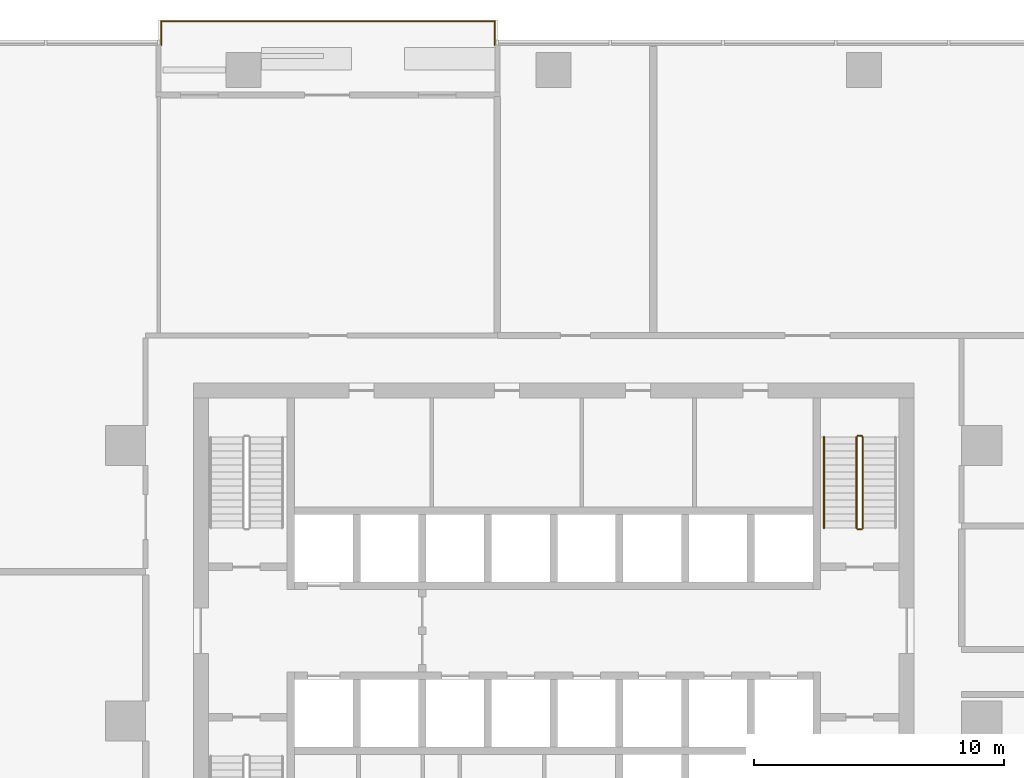
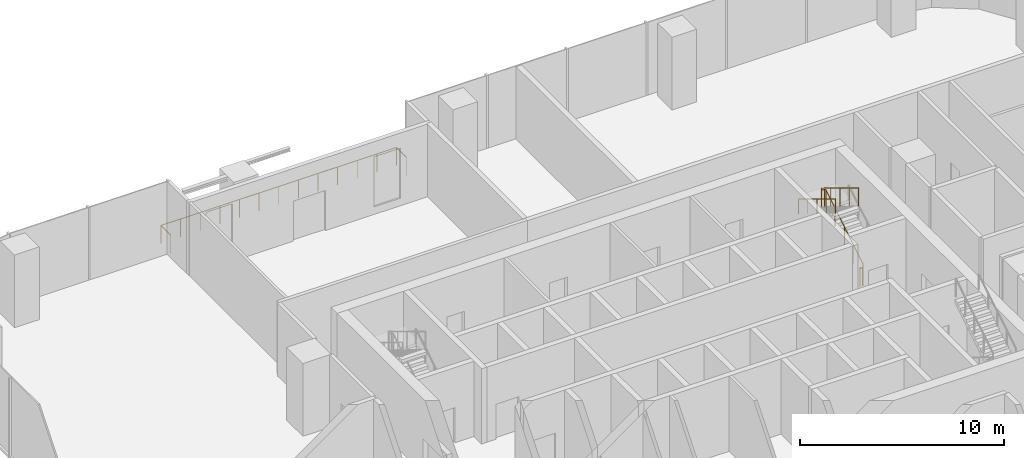
# One storey, part 14 of 15: 5 railings.
"""IFC4 building model written with IfcOpenShell, lengths in metres."""

from ifc_helpers import new_model, si_unit, direction, frame, origin, origin_2d, place, context, subcontext, project, spatial, circle, extrude, material, type_object, element, save


model = new_model("IFC4")

# Units and contexts
model_context = context("Model", 3, precision=1e-05, world=origin(), true_north=direction((0.0, 1.0)))
body_context = subcontext(model_context, "Body", "Model", "MODEL_VIEW")
ifc_project = project(units=[si_unit("LENGTHUNIT", "METRE"), si_unit("AREAUNIT", "SQUARE_METRE"), si_unit("VOLUMEUNIT", "CUBIC_METRE"), si_unit("PLANEANGLEUNIT", "RADIAN"), si_unit("MASSUNIT", "GRAM", prefix="KILO")], contexts=[model_context])

# Site, building, storey
site_placement = place(None, origin())
site = spatial("IfcSite", under=ifc_project, at=site_placement, CompositionType="ELEMENT")
building_placement = place(site_placement, origin())
building = spatial("IfcBuilding", under=site, at=building_placement, Name="Mopane Tessera Tower", CompositionType="ELEMENT")
storey_placement = place(building_placement, frame((0.0, 0.0, 79.0)))
storey = spatial("IfcBuildingStorey", under=building, at=storey_placement, Name="L15", CompositionType="ELEMENT", Elevation=79.0)

# Railings
ifc_material_1 = material(Name="Powder-coated steel balustrade", Category="steel")
railing_type_1 = type_object("IfcRailingType", Name="Escape stair guard 1100 mm", PredefinedType="GUARDRAIL", material=ifc_material_1)
railing_1_placement = place(storey_placement, frame((12.35009765625, 7.699951171875, 0.17138671875)))
element("IfcRailing", 1, at=railing_1_placement, inside=storey, type_object=railing_type_1, Name="L15 ST4 stair guard 1", PredefinedType="GUARDRAIL", context=body_context, shape_type="SweptSolid", body=[
    extrude(circle(Radius=0.02392578125, at=origin_2d()), frame((0.0, 0.0, 1.076171875), z_axis=(0.0, 0.852865859571, 0.52213008492), x_axis=(-1.0, 0.0, 0.0)), (0.0, 0.0, 1.0), 4.26806640625),
    extrude(circle(Radius=0.02392578125, at=origin_2d()), frame((0.0, 3.64013671875, 3.3046875), z_axis=(-0.708833529934, 0.705375805398, 0.0), x_axis=(-0.705375805398, -0.708833529934, 0.0)), (0.0, 0.0, 1.0), 0.070556640625),
    extrude(circle(Radius=0.02392578125, at=origin_2d()), frame((-0.050048828125, 3.68994140625, 3.3046875), z_axis=(-1.0, 0.0, 0.0), x_axis=(0.0, -1.0, 0.0)), (0.0, 0.0, 1.0), 0.150146484375),
    extrude(circle(Radius=0.02099609375, at=origin_2d()), origin(), (0.0, 0.0, 1.0), 1.052001953125),
    extrude(circle(Radius=0.02099609375, at=origin_2d()), frame((0.0, 0.91015625, 0.55712890625)), (0.0, 0.0, 1.0), 1.052001953125),
    extrude(circle(Radius=0.02099609375, at=origin_2d()), frame((0.0, 1.820068359375, 1.1142578125)), (0.0, 0.0, 1.0), 1.052001953125),
    extrude(circle(Radius=0.02099609375, at=origin_2d()), frame((0.0, 2.72998046875, 1.67138671875)), (0.0, 0.0, 1.0), 1.052001953125),
    extrude(circle(Radius=0.02099609375, at=origin_2d()), frame((0.0, 3.64013671875, 2.228515625)), (0.0, 0.0, 1.0), 1.052001953125),
    extrude(circle(Radius=0.02099609375, at=origin_2d()), frame((-0.050048828125, 3.68994140625, 2.228515625)), (0.0, 0.0, 1.0), 1.052001953125),
    extrude(circle(Radius=0.02099609375, at=origin_2d()), frame((-0.2001953125, 3.68994140625, 2.228515625)), (0.0, 0.0, 1.0), 1.052001953125),
])
railing_2_placement = place(storey_placement, frame((12.10009765625, 11.340087890625, 2.571533203125)))
element("IfcRailing", 2, at=railing_2_placement, inside=storey, type_object=railing_type_1, Name="L15 ST4 stair guard 2", PredefinedType="GUARDRAIL", context=body_context, shape_type="SweptSolid", body=[
    extrude(circle(Radius=0.02392578125, at=origin_2d()), frame((0.0, 0.0, 1.076171875), z_axis=(0.0, -0.852865859571, 0.52213008492), x_axis=(1.0, 0.0, 0.0)), (0.0, 0.0, 1.0), 4.26806640625),
    extrude(circle(Radius=0.02099609375, at=origin_2d()), origin(), (0.0, 0.0, 1.0), 1.052001953125),
    extrude(circle(Radius=0.02099609375, at=origin_2d()), frame((0.0, -0.91015625, 0.55712890625)), (0.0, 0.0, 1.0), 1.052001953125),
    extrude(circle(Radius=0.02099609375, at=origin_2d()), frame((0.0, -1.820068359375, 1.1142578125)), (0.0, 0.0, 1.0), 1.052001953125),
    extrude(circle(Radius=0.02099609375, at=origin_2d()), frame((0.0, -2.72998046875, 1.67138671875)), (0.0, 0.0, 1.0), 1.052001953125),
    extrude(circle(Radius=0.02099609375, at=origin_2d()), frame((0.0, -3.64013671875, 2.228515625)), (0.0, 0.0, 1.0), 1.052001953125),
])
railing_3_placement = place(storey_placement, frame((12.300048828125, 7.64990234375, 0.0)))
element("IfcRailing", 3, at=railing_3_placement, inside=storey, type_object=railing_type_1, Name="L15 ST4 stair guard 3", PredefinedType="GUARDRAIL", context=body_context, shape_type="SweptSolid", body=[
    extrude(circle(Radius=0.02392578125, at=origin_2d()), frame((0.0, 0.0, 1.076171875), z_axis=(-1.0, 0.0, 0.0), x_axis=(0.0, -1.0, 0.0)), (0.0, 0.0, 1.0), 0.150146484375),
    extrude(circle(Radius=0.02099609375, at=origin_2d()), origin(), (0.0, 0.0, 1.0), 1.052001953125),
    extrude(circle(Radius=0.02099609375, at=origin_2d()), frame((-0.150146484375, 0.0, 0.0)), (0.0, 0.0, 1.0), 1.052001953125),
])
ifc_material_2 = material(Name="Powder-coated steel balustrade", Category="steel")
railing_type_2 = type_object("IfcRailingType", Name="Escape stair handrail 900 mm", PredefinedType="HANDRAIL", material=ifc_material_2)
railing_4_placement = place(storey_placement, frame((10.800048828125, 11.340087890625, 2.571533203125)))
element("IfcRailing", 4, at=railing_4_placement, inside=storey, type_object=railing_type_2, Name="L15 ST4 stair handrail 2", PredefinedType="HANDRAIL", context=body_context, shape_type="SweptSolid", body=[
    extrude(circle(Radius=0.02392578125, at=origin_2d()), frame((0.0, 0.0, 0.8759765625), z_axis=(0.0, -0.852865859571, 0.52213008492), x_axis=(1.0, 0.0, 0.0)), (0.0, 0.0, 1.0), 4.26806640625),
    extrude(circle(Radius=0.02099609375, at=origin_2d()), origin(), (0.0, 0.0, 1.0), 0.851806640625),
    extrude(circle(Radius=0.02099609375, at=origin_2d()), frame((0.0, -0.91015625, 0.55712890625)), (0.0, 0.0, 1.0), 0.851806640625),
    extrude(circle(Radius=0.02099609375, at=origin_2d()), frame((0.0, -1.820068359375, 1.1142578125)), (0.0, 0.0, 1.0), 0.851806640625),
    extrude(circle(Radius=0.02099609375, at=origin_2d()), frame((0.0, -2.72998046875, 1.67138671875)), (0.0, 0.0, 1.0), 0.851806640625),
    extrude(circle(Radius=0.02099609375, at=origin_2d()), frame((0.0, -3.64013671875, 2.228515625)), (0.0, 0.0, 1.0), 0.851806640625),
])
ifc_material_3 = material(Name="Stainless steel S316", Category="steel")
railing_type_3 = type_object("IfcRailingType", Name="Terrace guard 1100", PredefinedType="GUARDRAIL", material=ifc_material_3)
railing_5_placement = place(storey_placement, frame((-2.3544921875, 27.0, 0.0)))
element("IfcRailing", 5, at=railing_5_placement, inside=storey, type_object=railing_type_3, Name="e:nw:L15:N2:guard", PredefinedType="GUARDRAIL", context=body_context, shape_type="SweptSolid", body=[
    extrude(circle(Radius=0.02392578125, at=origin_2d()), frame((0.0, 0.0, 1.076171875), z_axis=(0.0, 1.0, 0.0), x_axis=(-1.0, 0.0, 0.0)), (0.0, 0.0, 1.0), 0.949951171875),
    extrude(circle(Radius=0.02392578125, at=origin_2d()), frame((0.0, 0.949951171875, 1.076171875), z_axis=(-1.0, 0.0, 0.0), x_axis=(0.0, -1.0, 0.0)), (0.0, 0.0, 1.0), 13.327392578125),
    extrude(circle(Radius=0.02392578125, at=origin_2d()), frame((-13.327392578125, 0.949951171875, 1.076171875), z_axis=(0.0, -1.0, 0.0), x_axis=(1.0, 0.0, 0.0)), (0.0, 0.0, 1.0), 0.949951171875),
    extrude(circle(Radius=0.02099609375, at=origin_2d()), origin(), (0.0, 0.0, 1.0), 1.052001953125),
    extrude(circle(Radius=0.02099609375, at=origin_2d()), frame((0.0, 0.949951171875, 0.0)), (0.0, 0.0, 1.0), 1.052001953125),
    extrude(circle(Radius=0.02099609375, at=origin_2d()), frame((-1.110595703125, 0.949951171875, 0.0)), (0.0, 0.0, 1.0), 1.052001953125),
    extrude(circle(Radius=0.02099609375, at=origin_2d()), frame((-2.22119140625, 0.949951171875, 0.0)), (0.0, 0.0, 1.0), 1.052001953125),
    extrude(circle(Radius=0.02099609375, at=origin_2d()), frame((-3.331787109375, 0.949951171875, 0.0)), (0.0, 0.0, 1.0), 1.052001953125),
    extrude(circle(Radius=0.02099609375, at=origin_2d()), frame((-4.4423828125, 0.949951171875, 0.0)), (0.0, 0.0, 1.0), 1.052001953125),
    extrude(circle(Radius=0.02099609375, at=origin_2d()), frame((-5.552978515625, 0.949951171875, 0.0)), (0.0, 0.0, 1.0), 1.052001953125),
    extrude(circle(Radius=0.02099609375, at=origin_2d()), frame((-6.66357421875, 0.949951171875, 0.0)), (0.0, 0.0, 1.0), 1.052001953125),
    extrude(circle(Radius=0.02099609375, at=origin_2d()), frame((-7.7744140625, 0.949951171875, 0.0)), (0.0, 0.0, 1.0), 1.052001953125),
    extrude(circle(Radius=0.02099609375, at=origin_2d()), frame((-8.885009765625, 0.949951171875, 0.0)), (0.0, 0.0, 1.0), 1.052001953125),
    extrude(circle(Radius=0.02099609375, at=origin_2d()), frame((-9.99560546875, 0.949951171875, 0.0)), (0.0, 0.0, 1.0), 1.052001953125),
    extrude(circle(Radius=0.02099609375, at=origin_2d()), frame((-11.106201171875, 0.949951171875, 0.0)), (0.0, 0.0, 1.0), 1.052001953125),
    extrude(circle(Radius=0.02099609375, at=origin_2d()), frame((-12.216796875, 0.949951171875, 0.0)), (0.0, 0.0, 1.0), 1.052001953125),
    extrude(circle(Radius=0.02099609375, at=origin_2d()), frame((-13.327392578125, 0.949951171875, 0.0)), (0.0, 0.0, 1.0), 1.052001953125),
    extrude(circle(Radius=0.02099609375, at=origin_2d()), frame((-13.327392578125, 0.0, 0.0)), (0.0, 0.0, 1.0), 1.052001953125),
])

save(model, "model.ifc")
